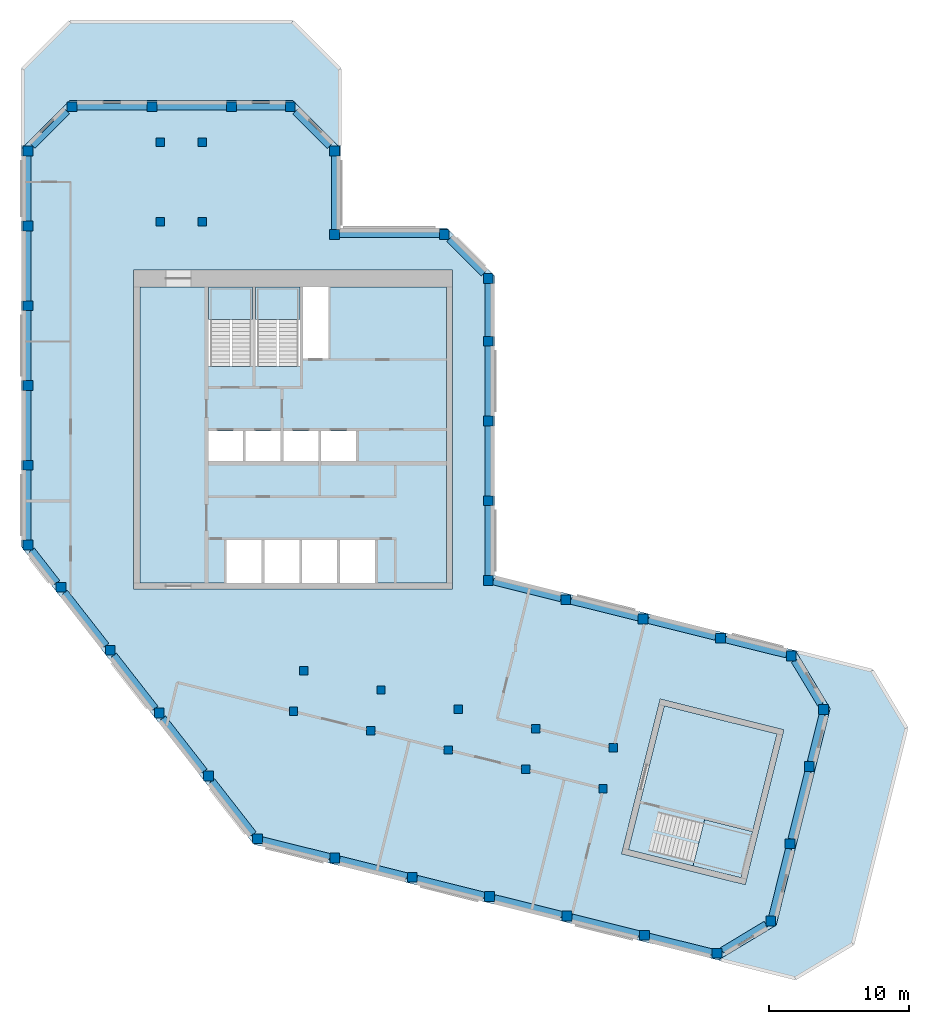
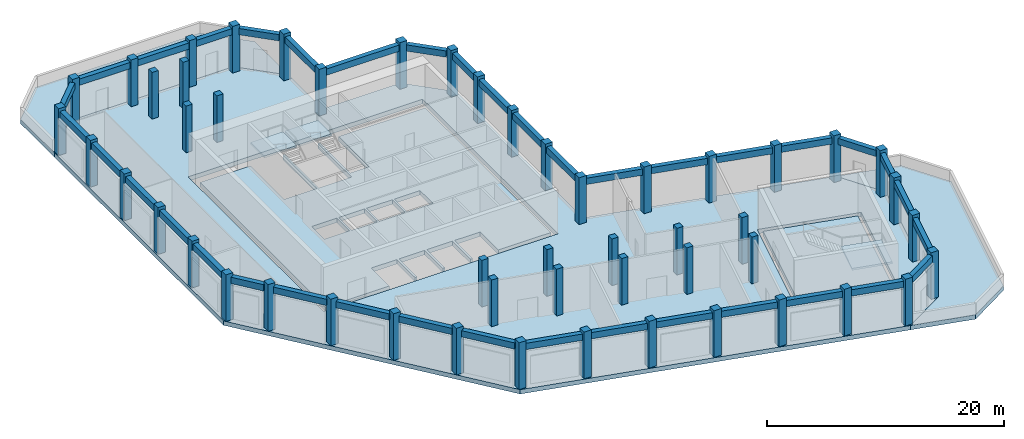
# One storey, part 1 of 6: 51 columns, 37 beams, 8 slabs, 3 elements without a shape of their own.
"""IFC4 building model written with IfcOpenShell, lengths in metres."""

from ifc_helpers import new_model, si_unit, direction, frame, origin, origin_2d, place, context, subcontext, project, spatial, polyline, rectangle, outline, extrude, material, layer, layer_set, material_profile, profile_set, type_object, element, aggregate, save


model = new_model("IFC4")

# Units and contexts
model_context = context("Model", 3, precision=1e-05, world=origin(), true_north=direction((0.0, 1.0)))
body_context = subcontext(model_context, "Body", "Model", "MODEL_VIEW")
ifc_project = project(units=[si_unit("LENGTHUNIT", "METRE"), si_unit("AREAUNIT", "SQUARE_METRE"), si_unit("VOLUMEUNIT", "CUBIC_METRE"), si_unit("PLANEANGLEUNIT", "RADIAN"), si_unit("MASSUNIT", "GRAM", prefix="KILO")], contexts=[model_context])

# Site, building, storey
site_placement = place(None, origin())
site = spatial("IfcSite", under=ifc_project, at=site_placement, CompositionType="ELEMENT")
building_placement = place(site_placement, origin())
building = spatial("IfcBuilding", under=site, at=building_placement, Name="Meshkara Civic Tower", CompositionType="ELEMENT")
storey_placement = place(building_placement, frame((0.0, 0.0, 400.199951171875)))
storey = spatial("IfcBuildingStorey", under=building, at=storey_placement, Name="L92 Crown", CompositionType="ELEMENT", Elevation=400.199951171875)

# Columns
ifc_material_1 = material(Name="Concrete C50", Category="concrete")
ifc_material_profile_1 = material_profile(ifc_material_1, rectangle(XDim=0.60009765625, YDim=0.60009765625, at=origin_2d()))
ifc_profile_set_1 = profile_set([ifc_material_profile_1], Name="Concrete C50")
column_type_1 = type_object("IfcColumnType", Name="Interior column RC 600x600 C50", PredefinedType="COLUMN", material=ifc_profile_set_1)
for number, where, z_axis, x_axis, name in (
    (1, (9.89990234375, 40.35009765625, 0.0), (0.0, 0.0, 1.0), (1.0, 0.0, 0.0), "Column SA1-04 L92 Crown"),
    (2, (9.89990234375, 46.050048828125, 0.0), (0.0, 0.0, 1.0), (1.0, 0.0, 0.0), "Column SA1-05 L92 Crown"),
    (3, (12.89990234375, 40.35009765625, 0.0), (0.0, 0.0, 1.0), (1.0, 0.0, 0.0), "Column SA2-04 L92 Crown"),
    (4, (12.89990234375, 46.050048828125, 0.0), (0.0, 0.0, 1.0), (1.0, 0.0, 0.0), "Column SA2-05 L92 Crown"),
    (5, (19.424072265625, 5.360107421875, 0.0), (0.0, 0.0, 1.0), (1.0, 0.0, 0.0), "Column SB1-00 L92 Crown"),
    (6, (24.9541015625, 3.98095703125, 0.0), (0.0, 0.0, 1.0), (1.0, 0.0, 0.0), "Column SB1-01 L92 Crown"),
    (7, (30.485107421875, 2.60205078125, 0.0), (0.0, 0.0, 1.0), (1.0, 0.0, 0.0), "Column SB1-02 L92 Crown"),
    (8, (36.01611328125, 1.222900390625, 0.0), (0.0, 0.0, 1.0), (1.0, 0.0, 0.0), "Column SB1-03 L92 Crown"),
    (9, (41.5458984375, -0.156005859375, 0.0), (0.0, 0.0, 1.0), (1.0, 0.0, 0.0), "Column SB1-04 L92 Crown"),
    (10, (20.14892578125, 8.27099609375, 0.0), (0.0, 0.0, 1.0), (1.0, 0.0, 0.0), "Column SB2-00 L92 Crown"),
    (11, (25.679931640625, 6.89208984375, 0.0), (0.0, 0.0, 1.0), (1.0, 0.0, 0.0), "Column SB2-01 L92 Crown"),
    (12, (31.2109375, 5.512939453125, 0.0), (0.0, 0.0, 1.0), (1.0, 0.0, 0.0), "Column SB2-02 L92 Crown"),
    (13, (36.741943359375, 4.134033203125, 0.0), (0.0, 0.0, 1.0), (1.0, 0.0, 0.0), "Column SB2-03 L92 Crown"),
    (14, (42.27197265625, 2.7548828125, 0.0), (0.0, 0.0, 1.0), (1.0, 0.0, 0.0), "Column SB2-04 L92 Crown"),
):
    element("IfcColumn", number, at=place(storey_placement, frame(where, z_axis=z_axis, x_axis=x_axis)), inside=storey, type_object=column_type_1, Name=name, PredefinedType="COLUMN", context=body_context, shape_type="SweptSolid", body=[
        extrude(rectangle(XDim=0.60009765625, YDim=0.60009765625, at=origin_2d()), origin(), (0.0, 0.0, 1.0), 4.800048828125),
    ])
ifc_material_2 = material(Name="Concrete C50", Category="concrete")
ifc_material_profile_2 = material_profile(ifc_material_2, rectangle(XDim=0.699951171875, YDim=0.699951171875, at=origin_2d()))
ifc_profile_set_2 = profile_set([ifc_material_profile_2], Name="Concrete C50")
column_type_2 = type_object("IfcColumnType", Name="Perimeter column RC 700x700 C50", PredefinedType="COLUMN", material=ifc_profile_set_2)
for number, where, z_axis, x_axis, name in (
    (15, (33.35009765625, 14.718994140625, 0.0), (0.0, 0.0, 1.0), (1.0, 0.0, 0.0), "Column HE00 L92 Crown"),
    (16, (33.35009765625, 20.4189453125, 0.0), (0.0, 0.0, 1.0), (1.0, 0.0, 0.0), "Column HE01 L92 Crown"),
    (17, (33.35009765625, 26.118896484375, 0.0), (0.0, 0.0, 1.0), (1.0, 0.0, 0.0), "Column HE02 L92 Crown"),
    (18, (33.35009765625, 31.819091796875, 0.0), (0.0, 0.0, 1.0), (1.0, 0.0, 0.0), "Column HE03 L92 Crown"),
    (19, (33.35009765625, 36.2939453125, 0.0), (0.0, 0.0, 1.0), (1.0, 0.0, 0.0), "Column HEE L92 Crown"),
    (20, (30.194091796875, 39.449951171875, 0.0), (0.0, 0.0, 1.0), (1.0, 0.0, 0.0), "Column HCeE L92 Crown"),
    (21, (22.35009765625, 39.449951171875, 0.0), (0.0, 0.0, 1.0), (1.0, 0.0, 0.0), "Column HN00 L92 Crown"),
    (22, (22.35009765625, 45.4140625, 0.0), (0.0, 0.0, 1.0), (1.0, 0.0, 0.0), "Column AEEP6 L92 Crown"),
    (23, (19.194091796875, 48.570068359375, 0.0), (0.0, 0.0, 1.0), (1.0, 0.0, 0.0), "Column ATiEP6 L92 Crown"),
    (24, (3.60595703125, 48.570068359375, 0.0), (0.0, 0.0, 1.0), (1.0, 0.0, 0.0), "Column AT00-P6 L92 Crown"),
    (25, (9.305908203125, 48.570068359375, 0.0), (0.0, 0.0, 1.0), (1.0, 0.0, 0.0), "Column AT01-P6 L92 Crown"),
    (26, (15.006103515625, 48.570068359375, 0.0), (0.0, 0.0, 1.0), (1.0, 0.0, 0.0), "Column AT02-P6 L92 Crown"),
    (27, (0.449951171875, 45.4140625, 0.0), (0.0, 0.0, 1.0), (1.0, 0.0, 0.0), "Column ATo00-P6 L92 Crown"),
    (28, (0.449951171875, 17.2548828125, 0.0), (0.0, 0.0, 1.0), (1.0, 0.0, 0.0), "Column AW00 L92 Crown"),
    (29, (0.449951171875, 22.955078125, 0.0), (0.0, 0.0, 1.0), (1.0, 0.0, 0.0), "Column AW01 L92 Crown"),
    (30, (0.449951171875, 28.655029296875, 0.0), (0.0, 0.0, 1.0), (1.0, 0.0, 0.0), "Column AW02 L92 Crown"),
    (31, (0.449951171875, 34.35498046875, 0.0), (0.0, 0.0, 1.0), (1.0, 0.0, 0.0), "Column AW03 L92 Crown"),
    (32, (0.449951171875, 40.054931640625, 0.0), (0.0, 0.0, 1.0), (1.0, 0.0, 0.0), "Column AW04 L92 Crown"),
    (33, (16.85107421875, -3.738037109375, 0.0), (0.0, 0.0, 1.0), (1.0, 0.0, 0.0), "Column BOW00 L92 Crown"),
    (34, (13.342041015625, 0.75390625, 0.0), (0.0, 0.0, 1.0), (1.0, 0.0, 0.0), "Column BOW01 L92 Crown"),
    (35, (9.8330078125, 5.2451171875, 0.0), (0.0, 0.0, 1.0), (1.0, 0.0, 0.0), "Column BOW02 L92 Crown"),
    (36, (6.322998046875, 9.737060546875, 0.0), (0.0, 0.0, 1.0), (1.0, 0.0, 0.0), "Column BOW03 L92 Crown"),
    (37, (2.81396484375, 14.22900390625, 0.0), (0.0, 0.0, 1.0), (1.0, 0.0, 0.0), "Column BOW04 L92 Crown"),
    (38, (22.382080078125, -5.116943359375, 0.0), (0.0, 0.0, 1.0), (1.0, 0.0, 0.0), "Column BS01 L92 Crown"),
    (39, (27.912109375, -6.49609375, 0.0), (0.0, 0.0, 1.0), (1.0, 0.0, 0.0), "Column BS02 L92 Crown"),
    (40, (33.443115234375, -7.875, 0.0), (0.0, 0.0, 1.0), (1.0, 0.0, 0.0), "Column BS03 L92 Crown"),
    (41, (38.97412109375, -9.25390625, 0.0), (0.0, 0.0, 1.0), (1.0, 0.0, 0.0), "Column BS04 L92 Crown"),
    (42, (44.50390625, -10.633056640625, 0.0), (0.0, 0.0, 1.0), (1.0, 0.0, 0.0), "Column BS05-P4 L92 Crown"),
    (43, (49.7041015625, -11.928955078125, 0.0), (0.0, 0.0, 1.0), (1.0, 0.0, 0.0), "Column BSEP6 L92 Crown"),
    (44, (53.530029296875, -9.6298828125, 0.0), (0.0, 0.0, 1.0), (1.0, 0.0, 0.0), "Column BToEP6 L92 Crown"),
    (45, (54.908935546875, -4.09912109375, 0.0), (0.0, 0.0, 1.0), (1.0, 0.0, 0.0), "Column BT01-P6 L92 Crown"),
    (46, (56.2880859375, 1.430908203125, 0.0), (0.0, 0.0, 1.0), (1.0, 0.0, 0.0), "Column BT02-P6 L92 Crown"),
    (47, (57.301025390625, 5.493896484375, 0.0), (0.0, 0.0, 1.0), (1.0, 0.0, 0.0), "Column BTEP6 L92 Crown"),
    (48, (55.001953125, 9.320068359375, 0.0), (0.0, 0.0, 1.0), (1.0, 0.0, 0.0), "Column BTi00-P6 L92 Crown"),
    (49, (38.881103515625, 13.340087890625, 0.0), (0.0, 0.0, 1.0), (1.0, 0.0, 0.0), "Column BN01 L92 Crown"),
    (50, (44.410888671875, 11.9609375, 0.0), (0.0, 0.0, 1.0), (1.0, 0.0, 0.0), "Column BN02 L92 Crown"),
    (51, (49.94189453125, 10.58203125, 0.0), (0.0, 0.0, 1.0), (1.0, 0.0, 0.0), "Column BN03 L92 Crown"),
):
    element("IfcColumn", number, at=place(storey_placement, frame(where, z_axis=z_axis, x_axis=x_axis)), inside=storey, type_object=column_type_2, Name=name, PredefinedType="COLUMN", context=body_context, shape_type="SweptSolid", body=[
        extrude(rectangle(XDim=0.699951171875, YDim=0.699951171875, at=origin_2d()), origin(), (0.0, 0.0, 1.0), 4.800048828125),
    ])

# Beams
ifc_material_3 = material(Name="Concrete C50", Category="concrete")
ifc_material_profile_3 = material_profile(ifc_material_3, rectangle(XDim=0.449951171875, YDim=0.64990234375, at=origin_2d()))
ifc_profile_set_3 = profile_set([ifc_material_profile_3], Name="Concrete C50")
beam_type = type_object("IfcBeamType", Name="Spandrel beam RC 450x650 C50", PredefinedType="BEAM", material=ifc_profile_set_3)
beam_1_placement = place(storey_placement, frame((49.596923828125, 10.668212890625, 4.175048828125), z_axis=(-0.970303486882, 0.241890767382, 0.0), x_axis=(-0.241890767382, -0.970303486882, 0.0)))
element("IfcBeam", 52, at=beam_1_placement, inside=storey, type_object=beam_type, Name="Spandrel beam BN02-BN03", PredefinedType="BEAM", context=body_context, shape_type="SweptSolid", body=[
    extrude(rectangle(XDim=0.449951171875, YDim=0.64990234375, at=origin_2d()), origin(), (0.0, 0.0, 1.0), 4.989013671875),
])
beam_2_placement = place(storey_placement, frame((44.06591796875, 12.047119140625, 4.175048828125), z_axis=(-0.970292030407, 0.241936718437, 0.0), x_axis=(-0.241936718437, -0.970292030407, 0.0)))
element("IfcBeam", 53, at=beam_2_placement, inside=storey, type_object=beam_type, Name="Spandrel beam BN01-BN02", PredefinedType="BEAM", context=body_context, shape_type="SweptSolid", body=[
    extrude(rectangle(XDim=0.449951171875, YDim=0.64990234375, at=origin_2d()), origin(), (0.0, 0.0, 1.0), 4.988037109375),
])
beam_3_placement = place(storey_placement, frame((38.535888671875, 13.426025390625, 4.175048828125), z_axis=(-0.970303486882, 0.241890767382, 0.0), x_axis=(-0.241890767382, -0.970303486882, 0.0)))
element("IfcBeam", 54, at=beam_3_placement, inside=storey, type_object=beam_type, Name="Spandrel beam BN01-HE00", PredefinedType="BEAM", context=body_context, shape_type="SweptSolid", body=[
    extrude(rectangle(XDim=0.449951171875, YDim=0.64990234375, at=origin_2d()), origin(), (0.0, 0.0, 1.0), 4.989013671875),
])
for number, where, z_axis, x_axis, name in (
    (55, (33.35009765625, 15.06396484375, 4.175048828125), (0.0, 1.0, 0.0), (-1.0, 0.0, 0.0), "Spandrel beam HE00-HE01"),
    (56, (33.35009765625, 20.763916015625, 4.175048828125), (0.0, 1.0, 0.0), (-1.0, 0.0, 0.0), "Spandrel beam HE01-HE02"),
    (57, (33.35009765625, 26.464111328125, 4.175048828125), (0.0, 1.0, 0.0), (-1.0, 0.0, 0.0), "Spandrel beam HE02-HE03"),
):
    element("IfcBeam", number, at=place(storey_placement, frame(where, z_axis=z_axis, x_axis=x_axis)), inside=storey, type_object=beam_type, Name=name, PredefinedType="BEAM", context=body_context, shape_type="SweptSolid", body=[
        extrude(rectangle(XDim=0.449951171875, YDim=0.64990234375, at=origin_2d()), origin(), (0.0, 0.0, 1.0), 5.010009765625),
    ])
beam_4_placement = place(storey_placement, frame((33.35009765625, 32.1640625, 4.175048828125), z_axis=(0.0, 1.0, 0.0), x_axis=(-1.0, 0.0, 0.0)))
element("IfcBeam", 58, at=beam_4_placement, inside=storey, type_object=beam_type, Name="Spandrel beam HE03-HEE", PredefinedType="BEAM", context=body_context, shape_type="SweptSolid", body=[
    extrude(rectangle(XDim=0.449951171875, YDim=0.64990234375, at=origin_2d()), origin(), (0.0, 0.0, 1.0), 3.784912109375),
])
beam_5_placement = place(storey_placement, frame((33.00341796875, 36.640380859375, 4.175048828125), z_axis=(-0.707071735129, 0.707141825507, 0.0), x_axis=(-0.707141825507, -0.707071735129, 0.0)))
element("IfcBeam", 59, at=beam_5_placement, inside=storey, type_object=beam_type, Name="Spandrel beam HCeE-HEE", PredefinedType="BEAM", context=body_context, shape_type="SweptSolid", body=[
    extrude(rectangle(XDim=0.449951171875, YDim=0.64990234375, at=origin_2d()), origin(), (0.0, 0.0, 1.0), 3.483154296875),
])
beam_6_placement = place(storey_placement, frame((29.84912109375, 39.449951171875, 4.175048828125), z_axis=(-1.0, 0.0, 0.0), x_axis=(0.0, -1.0, 0.0)))
element("IfcBeam", 60, at=beam_6_placement, inside=storey, type_object=beam_type, Name="Spandrel beam HCeE-HN00", PredefinedType="BEAM", context=body_context, shape_type="SweptSolid", body=[
    extrude(rectangle(XDim=0.449951171875, YDim=0.64990234375, at=origin_2d()), origin(), (0.0, 0.0, 1.0), 7.154052734375),
])
beam_7_placement = place(storey_placement, frame((22.35009765625, 39.794921875, 4.175048828125), z_axis=(0.0, 1.0, 0.0), x_axis=(-1.0, 0.0, 0.0)))
element("IfcBeam", 61, at=beam_7_placement, inside=storey, type_object=beam_type, Name="Spandrel beam AEEP6-HN00", PredefinedType="BEAM", context=body_context, shape_type="SweptSolid", body=[
    extrude(rectangle(XDim=0.449951171875, YDim=0.64990234375, at=origin_2d()), origin(), (0.0, 0.0, 1.0), 5.274169921875),
])
beam_8_placement = place(storey_placement, frame((22.00341796875, 45.760498046875, 4.175048828125), z_axis=(-0.707106781187, 0.707106781187, 0.0), x_axis=(-0.707106781187, -0.707106781187, 0.0)))
element("IfcBeam", 62, at=beam_8_placement, inside=storey, type_object=beam_type, Name="Spandrel beam AEEP6-ATiEP6", PredefinedType="BEAM", context=body_context, shape_type="SweptSolid", body=[
    extrude(rectangle(XDim=0.449951171875, YDim=0.64990234375, at=origin_2d()), origin(), (0.0, 0.0, 1.0), 3.483154296875),
])
beam_9_placement = place(storey_placement, frame((18.84912109375, 48.570068359375, 4.175048828125), z_axis=(-1.0, 0.0, 0.0), x_axis=(0.0, -1.0, 0.0)))
element("IfcBeam", 63, at=beam_9_placement, inside=storey, type_object=beam_type, Name="Spandrel beam AT02-P6-ATiEP6", PredefinedType="BEAM", context=body_context, shape_type="SweptSolid", body=[
    extrude(rectangle(XDim=0.449951171875, YDim=0.64990234375, at=origin_2d()), origin(), (0.0, 0.0, 1.0), 3.498046875),
])
for number, where, z_axis, x_axis, name in (
    (64, (14.660888671875, 48.570068359375, 4.175048828125), (-1.0, 0.0, 0.0), (0.0, -1.0, 0.0), "Spandrel beam AT01-P6-AT02-P6"),
    (65, (8.9609375, 48.570068359375, 4.175048828125), (-1.0, 0.0, 0.0), (0.0, -1.0, 0.0), "Spandrel beam AT00-P6-AT01-P6"),
):
    element("IfcBeam", number, at=place(storey_placement, frame(where, z_axis=z_axis, x_axis=x_axis)), inside=storey, type_object=beam_type, Name=name, PredefinedType="BEAM", context=body_context, shape_type="SweptSolid", body=[
        extrude(rectangle(XDim=0.449951171875, YDim=0.64990234375, at=origin_2d()), origin(), (0.0, 0.0, 1.0), 5.010009765625),
    ])
beam_10_placement = place(storey_placement, frame((3.259521484375, 48.223388671875, 4.175048828125), z_axis=(-0.707141825507, -0.707071735129, 0.0), x_axis=(0.707071735129, -0.707141825507, 0.0)))
element("IfcBeam", 66, at=beam_10_placement, inside=storey, type_object=beam_type, Name="Spandrel beam AT00-P6-ATo00-P6", PredefinedType="BEAM", context=body_context, shape_type="SweptSolid", body=[
    extrude(rectangle(XDim=0.449951171875, YDim=0.64990234375, at=origin_2d()), origin(), (0.0, 0.0, 1.0), 3.483154296875),
])
beam_11_placement = place(storey_placement, frame((0.449951171875, 45.069091796875, 4.175048828125), z_axis=(0.0, -1.0, 0.0), x_axis=(1.0, 0.0, 0.0)))
element("IfcBeam", 67, at=beam_11_placement, inside=storey, type_object=beam_type, Name="Spandrel beam ATo00-P6-AW04", PredefinedType="BEAM", context=body_context, shape_type="SweptSolid", body=[
    extrude(rectangle(XDim=0.449951171875, YDim=0.64990234375, at=origin_2d()), origin(), (0.0, 0.0, 1.0), 4.669189453125),
])
for number, where, z_axis, x_axis, name in (
    (68, (0.449951171875, 39.7099609375, 4.175048828125), (0.0, -1.0, 0.0), (1.0, 0.0, 0.0), "Spandrel beam AW03-AW04"),
    (69, (0.449951171875, 34.010009765625, 4.175048828125), (0.0, -1.0, 0.0), (1.0, 0.0, 0.0), "Spandrel beam AW02-AW03"),
    (70, (0.449951171875, 28.31005859375, 4.175048828125), (0.0, -1.0, 0.0), (1.0, 0.0, 0.0), "Spandrel beam AW01-AW02"),
    (71, (0.449951171875, 22.610107421875, 4.175048828125), (0.0, -1.0, 0.0), (1.0, 0.0, 0.0), "Spandrel beam AW00-AW01"),
):
    element("IfcBeam", number, at=place(storey_placement, frame(where, z_axis=z_axis, x_axis=x_axis)), inside=storey, type_object=beam_type, Name=name, PredefinedType="BEAM", context=body_context, shape_type="SweptSolid", body=[
        extrude(rectangle(XDim=0.449951171875, YDim=0.64990234375, at=origin_2d()), origin(), (0.0, 0.0, 1.0), 5.010009765625),
    ])
beam_12_placement = place(storey_placement, frame((0.720458984375, 16.908935546875, 4.175048828125), z_axis=(0.615645641735, -0.788023123908, 0.0), x_axis=(0.788023123908, 0.615645641735, 0.0)))
element("IfcBeam", 72, at=beam_12_placement, inside=storey, type_object=beam_type, Name="Spandrel beam AW00-BOW04", PredefinedType="BEAM", context=body_context, shape_type="SweptSolid", body=[
    extrude(rectangle(XDim=0.449951171875, YDim=0.64990234375, at=origin_2d()), origin(), (0.0, 0.0, 1.0), 2.96142578125),
])
beam_13_placement = place(storey_placement, frame((3.084228515625, 13.8828125, 4.175048828125), z_axis=(0.615632251353, -0.788033585004, 0.0), x_axis=(0.788033585004, 0.615632251353, 0.0)))
element("IfcBeam", 73, at=beam_13_placement, inside=storey, type_object=beam_type, Name="Spandrel beam BOW03-BOW04", PredefinedType="BEAM", context=body_context, shape_type="SweptSolid", body=[
    extrude(rectangle(XDim=0.449951171875, YDim=0.64990234375, at=origin_2d()), origin(), (0.0, 0.0, 1.0), 4.82177734375),
])
beam_14_placement = place(storey_placement, frame((6.593505859375, 9.390869140625, 4.175048828125), z_axis=(0.615695129878, -0.787984458632, 0.0), x_axis=(0.787984458632, 0.615695129878, 0.0)))
element("IfcBeam", 74, at=beam_14_placement, inside=storey, type_object=beam_type, Name="Spandrel beam BOW02-BOW03", PredefinedType="BEAM", context=body_context, shape_type="SweptSolid", body=[
    extrude(rectangle(XDim=0.449951171875, YDim=0.64990234375, at=origin_2d()), origin(), (0.0, 0.0, 1.0), 4.822265625),
])
beam_15_placement = place(storey_placement, frame((10.103515625, 4.89892578125, 4.175048828125), z_axis=(0.615667628032, -0.788005946547, 0.0), x_axis=(0.788005946547, 0.615667628032, 0.0)))
element("IfcBeam", 75, at=beam_15_placement, inside=storey, type_object=beam_type, Name="Spandrel beam BOW01-BOW02", PredefinedType="BEAM", context=body_context, shape_type="SweptSolid", body=[
    extrude(rectangle(XDim=0.449951171875, YDim=0.64990234375, at=origin_2d()), origin(), (0.0, 0.0, 1.0), 4.82080078125),
])
beam_16_placement = place(storey_placement, frame((13.6123046875, 0.407958984375, 4.175048828125), z_axis=(0.615632251353, -0.788033585004, 0.0), x_axis=(0.788033585004, 0.615632251353, 0.0)))
element("IfcBeam", 76, at=beam_16_placement, inside=storey, type_object=beam_type, Name="Spandrel beam BOW00-BOW01", PredefinedType="BEAM", context=body_context, shape_type="SweptSolid", body=[
    extrude(rectangle(XDim=0.449951171875, YDim=0.64990234375, at=origin_2d()), origin(), (0.0, 0.0, 1.0), 4.82177734375),
])
beam_17_placement = place(storey_placement, frame((17.196044921875, -3.82421875, 4.175048828125), z_axis=(0.970303486882, -0.241890767382, 0.0), x_axis=(0.241890767382, 0.970303486882, 0.0)))
element("IfcBeam", 77, at=beam_17_placement, inside=storey, type_object=beam_type, Name="Spandrel beam BOW00-BS01", PredefinedType="BEAM", context=body_context, shape_type="SweptSolid", body=[
    extrude(rectangle(XDim=0.449951171875, YDim=0.64990234375, at=origin_2d()), origin(), (0.0, 0.0, 1.0), 4.989013671875),
])
beam_18_placement = place(storey_placement, frame((22.72705078125, -5.203125, 4.175048828125), z_axis=(0.970292030407, -0.241936718437, 0.0), x_axis=(0.241936718437, 0.970292030407, 0.0)))
element("IfcBeam", 78, at=beam_18_placement, inside=storey, type_object=beam_type, Name="Spandrel beam BS01-BS02", PredefinedType="BEAM", context=body_context, shape_type="SweptSolid", body=[
    extrude(rectangle(XDim=0.449951171875, YDim=0.64990234375, at=origin_2d()), origin(), (0.0, 0.0, 1.0), 4.988037109375),
])
for number, where, z_axis, x_axis, name in (
    (79, (28.257080078125, -6.58203125, 4.175048828125), (0.970303486882, -0.241890767382, 0.0), (0.241890767382, 0.970303486882, 0.0), "Spandrel beam BS02-BS03"),
    (80, (33.7880859375, -7.961181640625, 4.175048828125), (0.970303486882, -0.241890767382, 0.0), (0.241890767382, 0.970303486882, 0.0), "Spandrel beam BS03-BS04"),
):
    element("IfcBeam", number, at=place(storey_placement, frame(where, z_axis=z_axis, x_axis=x_axis)), inside=storey, type_object=beam_type, Name=name, PredefinedType="BEAM", context=body_context, shape_type="SweptSolid", body=[
        extrude(rectangle(XDim=0.449951171875, YDim=0.64990234375, at=origin_2d()), origin(), (0.0, 0.0, 1.0), 4.989013671875),
    ])
beam_19_placement = place(storey_placement, frame((39.319091796875, -9.340087890625, 4.175048828125), z_axis=(0.970292030407, -0.241936718437, 0.0), x_axis=(0.241936718437, 0.970292030407, 0.0)))
element("IfcBeam", 81, at=beam_19_placement, inside=storey, type_object=beam_type, Name="Spandrel beam BS04-BS05-P4", PredefinedType="BEAM", context=body_context, shape_type="SweptSolid", body=[
    extrude(rectangle(XDim=0.449951171875, YDim=0.64990234375, at=origin_2d()), origin(), (0.0, 0.0, 1.0), 4.988037109375),
])
beam_20_placement = place(storey_placement, frame((44.84912109375, -10.718994140625, 4.175048828125), z_axis=(0.970315289875, -0.24184341677, 0.0), x_axis=(0.24184341677, 0.970315289875, 0.0)))
element("IfcBeam", 82, at=beam_20_placement, inside=storey, type_object=beam_type, Name="Spandrel beam BS05-P4-BSEP6", PredefinedType="BEAM", context=body_context, shape_type="SweptSolid", body=[
    extrude(rectangle(XDim=0.449951171875, YDim=0.64990234375, at=origin_2d()), origin(), (0.0, 0.0, 1.0), 4.647705078125),
])
beam_21_placement = place(storey_placement, frame((50.0498046875, -11.72119140625, 4.175048828125), z_axis=(0.857151074775, 0.515065078424, 0.0), x_axis=(-0.515065078424, 0.857151074775, 0.0)))
element("IfcBeam", 83, at=beam_21_placement, inside=storey, type_object=beam_type, Name="Spandrel beam BSEP6-BToEP6", PredefinedType="BEAM", context=body_context, shape_type="SweptSolid", body=[
    extrude(rectangle(XDim=0.449951171875, YDim=0.64990234375, at=origin_2d()), origin(), (0.0, 0.0, 1.0), 3.656982421875),
])
beam_22_placement = place(storey_placement, frame((53.6162109375, -9.284912109375, 4.175048828125), z_axis=(0.241890767382, 0.970303486882, 0.0), x_axis=(-0.970303486882, 0.241890767382, 0.0)))
element("IfcBeam", 84, at=beam_22_placement, inside=storey, type_object=beam_type, Name="Spandrel beam BT01-P6-BToEP6", PredefinedType="BEAM", context=body_context, shape_type="SweptSolid", body=[
    extrude(rectangle(XDim=0.449951171875, YDim=0.64990234375, at=origin_2d()), origin(), (0.0, 0.0, 1.0), 4.989013671875),
])
beam_23_placement = place(storey_placement, frame((54.9951171875, -3.75390625, 4.175048828125), z_axis=(0.241936718437, 0.970292030407, 0.0), x_axis=(-0.970292030407, 0.241936718437, 0.0)))
element("IfcBeam", 85, at=beam_23_placement, inside=storey, type_object=beam_type, Name="Spandrel beam BT01-P6-BT02-P6", PredefinedType="BEAM", context=body_context, shape_type="SweptSolid", body=[
    extrude(rectangle(XDim=0.449951171875, YDim=0.64990234375, at=origin_2d()), origin(), (0.0, 0.0, 1.0), 4.988037109375),
])
beam_24_placement = place(storey_placement, frame((56.3740234375, 1.776123046875, 4.175048828125), z_axis=(0.241891057525, 0.970303414551, 0.0), x_axis=(-0.970303414551, 0.241891057525, 0.0)))
element("IfcBeam", 86, at=beam_24_placement, inside=storey, type_object=beam_type, Name="Spandrel beam BT02-P6-BTEP6", PredefinedType="BEAM", context=body_context, shape_type="SweptSolid", body=[
    extrude(rectangle(XDim=0.449951171875, YDim=0.64990234375, at=origin_2d()), origin(), (0.0, 0.0, 1.0), 3.47607421875),
])
beam_25_placement = place(storey_placement, frame((57.09326171875, 5.839599609375, 4.175048828125), z_axis=(-0.51503560536, 0.857168784553, 0.0), x_axis=(-0.857168784553, -0.51503560536, 0.0)))
element("IfcBeam", 87, at=beam_25_placement, inside=storey, type_object=beam_type, Name="Spandrel beam BTEP6-BTi00-P6", PredefinedType="BEAM", context=body_context, shape_type="SweptSolid", body=[
    extrude(rectangle(XDim=0.449951171875, YDim=0.64990234375, at=origin_2d()), origin(), (0.0, 0.0, 1.0), 3.6572265625),
])
beam_26_placement = place(storey_placement, frame((54.656982421875, 9.406005859375, 4.175048828125), z_axis=(-0.970279460943, 0.241987122948, 0.0), x_axis=(-0.241987122948, -0.970279460943, 0.0)))
element("IfcBeam", 88, at=beam_26_placement, inside=storey, type_object=beam_type, Name="Spandrel beam BN03-BTi00-P6", PredefinedType="BEAM", context=body_context, shape_type="SweptSolid", body=[
    extrude(rectangle(XDim=0.449951171875, YDim=0.64990234375, at=origin_2d()), origin(), (0.0, 0.0, 1.0), 4.503662109375),
])

# Slabs
ifc_material_4 = material(Name="Concrete C40/50", Category="concrete")
ifc_layer_1 = layer(ifc_material_4, 0.449951171875)
ifc_layer_set_1 = layer_set([ifc_layer_1], Name="Core floor slab 450 C40/50")
slab_type_1 = type_object("IfcSlabType", Name="Core floor slab 450 C40/50", PredefinedType="FLOOR", material=ifc_layer_set_1)
slab_1_placement = place(storey_placement, frame((0.0, 0.0, -0.449951171875)))
element("IfcSlab", 89, at=slab_1_placement, inside=storey, type_object=slab_type_1, Name="Core floor K", PredefinedType="FLOOR", context=body_context, shape_type="SweptSolid", body=[
    extrude(outline(polyline([(8.449951171875, 35.699951171875), (13.35009765625, 35.699951171875), (13.35009765625, 30.00146484375), (16.5, 30.00146484375), (16.5, 35.699951171875), (16.699951171875, 35.699951171875), (16.699951171875, 30.00146484375), (19.89990234375, 30.00146484375), (19.89990234375, 35.699951171875), (20.10009765625, 35.699951171875), (20.10009765625, 30.574951171875), (21.925048828125, 30.574951171875), (21.925048828125, 35.699951171875), (30.35009765625, 35.699951171875), (30.35009765625, 14.550048828125), (25.25, 14.550048828125), (25.25, 17.60009765625), (22.75, 17.60009765625), (22.75, 14.550048828125), (22.550048828125, 14.550048828125), (22.550048828125, 17.60009765625), (20.050048828125, 17.60009765625), (20.050048828125, 14.550048828125), (19.85009765625, 14.550048828125), (19.85009765625, 17.60009765625), (17.35009765625, 17.60009765625), (17.35009765625, 14.550048828125), (17.14990234375, 14.550048828125), (17.14990234375, 17.60009765625), (14.64990234375, 17.60009765625), (14.64990234375, 14.550048828125), (8.449951171875, 14.550048828125), (8.449951171875, 35.699951171875)]), holes=[polyline([(13.35009765625, 23.25), (15.800048828125, 23.25), (15.800048828125, 25.39990234375), (13.35009765625, 25.39990234375), (13.35009765625, 23.25)]), polyline([(18.5, 23.25), (18.5, 25.39990234375), (16.0, 25.39990234375), (16.0, 23.25), (18.5, 23.25)]), polyline([(18.699951171875, 23.25), (21.199951171875, 23.25), (21.199951171875, 25.39990234375), (18.699951171875, 25.39990234375), (18.699951171875, 23.25)]), polyline([(23.89990234375, 23.25), (23.89990234375, 25.39990234375), (21.39990234375, 25.39990234375), (21.39990234375, 23.25), (23.89990234375, 23.25)])]), origin(), (0.0, 0.0, 1.0), 0.449951171875),
])
slab_2_placement = place(storey_placement, frame((0.0, 0.0, -0.449951171875)))
element("IfcSlab", 90, at=slab_2_placement, inside=storey, type_object=slab_type_1, Name="Core floor EB", PredefinedType="FLOOR", context=body_context, shape_type="SweptSolid", body=[
    extrude(outline(polyline([(43.36328125, -4.52490234375), (45.927734375, 5.76025390625), (53.981201171875, 3.752197265625), (51.416748046875, -6.532958984375), (43.36328125, -4.52490234375)])), origin(), (0.0, 0.0, 1.0), 0.449951171875),
])

# Stair, slab
ifc_material_5 = material(Name="Precast concrete C40/50", Category="concrete")
stair_type = type_object("IfcStairType", Name="Exit stair half-turn 26 risers precast", PredefinedType="HALF_TURN_STAIR", material=ifc_material_5)
stair_1_placement = place(storey_placement, origin())
stair_1 = element("IfcStair", 91, at=stair_1_placement, inside=storey, type_object=stair_type, Name="L92 Crown exit stair 1", PredefinedType="HALF_TURN_STAIR")
ifc_material_6 = material(Name="Precast concrete C40/50", Category="concrete")
ifc_layer_2 = layer(ifc_material_6, 0.199951171875)
ifc_layer_set_2 = layer_set([ifc_layer_2], Name="Exit stair landing 200")
slab_type_2 = type_object("IfcSlabType", Name="Exit stair landing 200", PredefinedType="LANDING", material=ifc_layer_set_2)
slab_3_placement = place(storey_placement, frame((0.0, 0.0, 2.199951171875)))
slab_3 = element("IfcSlab", 92, at=slab_3_placement, type_object=slab_type_2, Name="ST1 landing 1", PredefinedType="LANDING", context=body_context, shape_type="SweptSolid", body=[
    extrude(outline(polyline([(16.5, 33.3583984375), (16.5, 35.699951171875), (13.35009765625, 35.699951171875), (13.35009765625, 33.3583984375), (16.5, 33.3583984375)])), origin(), (0.0, 0.0, 1.0), 0.2001953125),
])
aggregate(stair_1, [slab_3])

stair_2_placement = place(storey_placement, origin())
stair_2 = element("IfcStair", 93, at=stair_2_placement, inside=storey, type_object=stair_type, Name="L92 Crown exit stair 2", PredefinedType="HALF_TURN_STAIR")
slab_4_placement = place(storey_placement, frame((0.0, 0.0, 2.199951171875)))
slab_4 = element("IfcSlab", 94, at=slab_4_placement, type_object=slab_type_2, Name="ST2 landing 1", PredefinedType="LANDING", context=body_context, shape_type="SweptSolid", body=[
    extrude(outline(polyline([(19.89990234375, 33.3583984375), (19.89990234375, 35.699951171875), (16.699951171875, 35.699951171875), (16.699951171875, 33.3583984375), (19.89990234375, 33.3583984375)])), origin(), (0.0, 0.0, 1.0), 0.2001953125),
])
aggregate(stair_2, [slab_4])

stair_3_placement = place(storey_placement, origin())
stair_3 = element("IfcStair", 95, at=stair_3_placement, inside=storey, type_object=stair_type, Name="L92 Crown exit stair B from L92 Crown", PredefinedType="HALF_TURN_STAIR")
slab_5_placement = place(storey_placement, frame((0.0, 0.0, 2.199951171875)))
slab_5 = element("IfcSlab", 96, at=slab_5_placement, type_object=slab_type_2, Name="ESB7 landing 1", PredefinedType="LANDING", context=body_context, shape_type="SweptSolid", body=[
    extrude(outline(polyline([(47.980224609375, -5.677001953125), (51.416748046875, -6.5341796875), (52.239990234375, -3.234130859375), (48.8037109375, -2.376953125), (47.980224609375, -5.677001953125)])), origin(), (0.0, 0.0, 1.0), 0.2001953125),
])
aggregate(stair_3, [slab_5])

# Slabs
ifc_material_7 = material(Name="Concrete C50", Category="concrete")
ifc_layer_3 = layer(ifc_material_7, 0.449951171875)
ifc_layer_set_3 = layer_set([ifc_layer_3], Name="Terrace slab 450 C50")
slab_type_3 = type_object("IfcSlabType", Name="Terrace slab 450 C50", PredefinedType="ROOF", material=ifc_layer_set_3)
slab_6_placement = place(storey_placement, frame((0.0, 0.0, -0.449951171875)))
element("IfcSlab", 97, at=slab_6_placement, inside=storey, type_object=slab_type_3, Name="Terrace slab L92 Crown", PredefinedType="ROOF", context=body_context, shape_type="SweptSolid", body=[
    extrude(outline(polyline([(63.31396484375, 4.18701171875), (59.452880859375, -11.299072265625), (55.306884765625, -13.7900390625), (49.77587890625, -12.410888671875), (53.922119140625, -9.919921875), (57.782958984375, 5.56591796875), (55.2919921875, 9.7119140625), (60.822998046875, 8.3330078125), (63.31396484375, 4.18701171875)])), origin(), (0.0, 0.0, 1.0), 0.449951171875),
])
slab_7_placement = place(storey_placement, frame((0.0, 0.0, -0.449951171875)))
element("IfcSlab", 98, at=slab_7_placement, inside=storey, type_object=slab_type_3, Name="Terrace slab L92 Crown", PredefinedType="ROOF", context=body_context, shape_type="SweptSolid", body=[
    extrude(outline(polyline([(3.419921875, 54.719970703125), (19.3798828125, 54.719970703125), (22.800048828125, 51.300048828125), (22.800048828125, 45.60009765625), (19.3798828125, 49.02001953125), (3.419921875, 49.02001953125), (0.0, 45.60009765625), (0.0, 51.300048828125), (3.419921875, 54.719970703125)])), origin(), (0.0, 0.0, 1.0), 0.449951171875),
])
ifc_material_8 = material(Name="Concrete C60", Category="concrete")
ifc_layer_4 = layer(ifc_material_8, 0.449951171875)
ifc_layer_set_4 = layer_set([ifc_layer_4], Name="Transfer plate 450 C60")
slab_type_4 = type_object("IfcSlabType", Name="Transfer plate 450 C60", PredefinedType="FLOOR", material=ifc_layer_set_4)
slab_8_placement = place(storey_placement, frame((0.0, 0.0, -0.449951171875)))
element("IfcSlab", 99, at=slab_8_placement, inside=storey, type_object=slab_type_4, Name="Transfer plate L92 Crown", PredefinedType="FLOOR", context=body_context, shape_type="SweptSolid", body=[
    extrude(outline(polyline([(53.922119140625, -9.919921875), (49.77587890625, -12.410888671875), (16.592041015625, -4.136962890625), (0.0, 17.10009765625), (0.0, 45.60009765625), (3.419921875, 49.02001953125), (19.3798828125, 49.02001953125), (22.800048828125, 45.60009765625), (22.800048828125, 39.89990234375), (30.3798828125, 39.89990234375), (33.800048828125, 36.47998046875), (33.800048828125, 15.071044921875), (55.2919921875, 9.7119140625), (57.782958984375, 5.56591796875), (53.922119140625, -9.919921875)]), holes=[polyline([(51.7080078125, -7.01806640625), (54.466064453125, 4.0439453125), (45.635986328125, 6.2451171875), (42.87890625, -4.81591796875), (51.7080078125, -7.01806640625)]), polyline([(30.800048828125, 36.89990234375), (8.0, 36.89990234375), (8.0, 14.10009765625), (30.800048828125, 14.10009765625), (30.800048828125, 36.89990234375)])]), origin(), (0.0, 0.0, 1.0), 0.449951171875),
])

save(model, "model.ifc")
